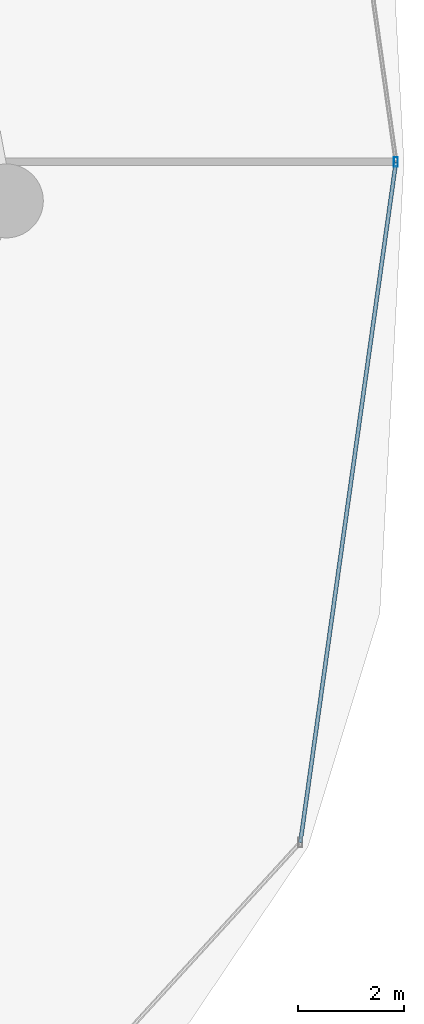
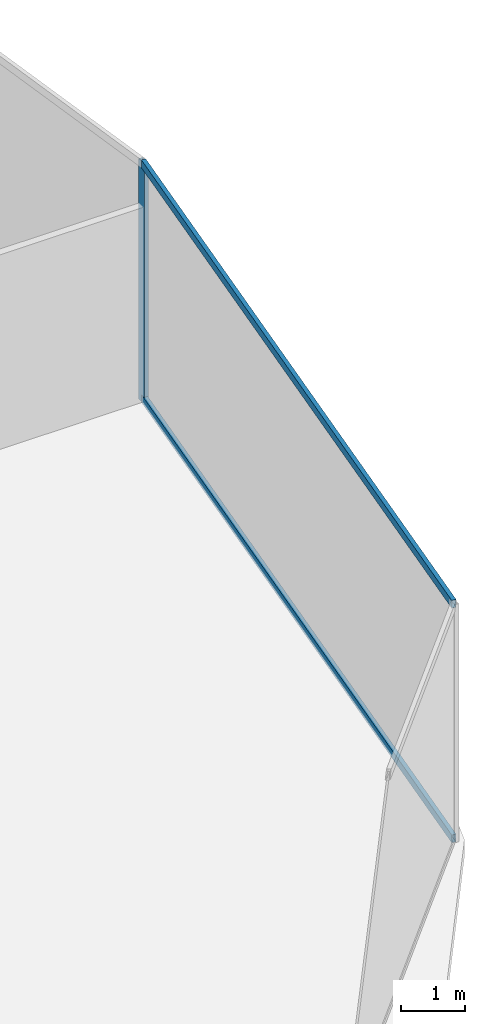
# One storey, part 23 of 32: 3 members, 1 element without a shape of its own.
"""IFC4 building model written with IfcOpenShell, lengths in metres."""

from ifc_helpers import new_model, si_unit, direction, frame, origin, origin_2d, place, context, subcontext, project, spatial, hollow_rectangle, extrude, material, material_profile, profile_set, type_object, element, aggregate, save


model = new_model("IFC4")

# Units and contexts
model_context = context("Model", 3, precision=1e-05, world=origin(), true_north=direction((0.0, 1.0)))
body_context = subcontext(model_context, "Body", "Model", "MODEL_VIEW")
ifc_project = project(units=[si_unit("LENGTHUNIT", "METRE"), si_unit("AREAUNIT", "SQUARE_METRE"), si_unit("VOLUMEUNIT", "CUBIC_METRE"), si_unit("PLANEANGLEUNIT", "RADIAN"), si_unit("MASSUNIT", "GRAM", prefix="KILO")], contexts=[model_context])

# Site, building, storey
site_placement = place(None, origin())
site = spatial("IfcSite", under=ifc_project, at=site_placement, CompositionType="ELEMENT")
building_placement = place(site_placement, origin())
building = spatial("IfcBuilding", under=site, at=building_placement, Name="Vorneva Point Tower", CompositionType="ELEMENT")
storey_placement = place(building_placement, frame((0.0, 0.0, 19.199951171875)))
storey = spatial("IfcBuildingStorey", under=building, at=storey_placement, Name="L04", CompositionType="ELEMENT", Elevation=19.199951171875)

# Curtain wall, members
ifc_material = material(Name="Pale anodised aluminium", Category="aluminium")
curtain_wall_type = type_object("IfcCurtainWallType", Name="CW-POD-SYS", PredefinedType="NOTDEFINED", material=ifc_material)
curtain_wall_placement = place(storey_placement, origin())
curtain_wall = element("IfcCurtainWall", 1, at=curtain_wall_placement, inside=storey, type_object=curtain_wall_type, Name="L04 Unitised Curtain Wall CW-L04-R01", PredefinedType="NOTDEFINED")
ifc_material_profile_1 = material_profile(ifc_material, hollow_rectangle(XDim=0.074951171875, YDim=0.179931640625, WallThickness=0.00390625, at=origin_2d()), Name="AL-MUL 180x75x4")
ifc_profile_set_1 = profile_set([ifc_material_profile_1], Name="Pale anodised aluminium")
member_type_1 = type_object("IfcMemberType", Name="CW-MUL-180", PredefinedType="MULLION", material=ifc_profile_set_1)
member_1_placement = place(storey_placement, frame((72.560791015625, 26.0, -0.0400390625), z_axis=(0.0, 0.0, 1.0), x_axis=(1.0, 0.0, 0.0)))
member_1 = element("IfcMember", 2, at=member_1_placement, type_object=member_type_1, Name="CW-L04-R01 Mullion 03", PredefinedType="MULLION", context=body_context, shape_type="SweptSolid", body=[
    extrude(hollow_rectangle(XDim=0.074951171875, YDim=0.179931640625, WallThickness=0.00390625, at=origin_2d()), origin(), (0.0, 0.0, 1.0), 4.610107421875),
])
ifc_material_profile_2 = material_profile(ifc_material, hollow_rectangle(XDim=0.074951171875, YDim=0.14990234375, WallThickness=0.00390625, at=origin_2d()), Name="AL-TRN 150x75x4")
ifc_profile_set_2 = profile_set([ifc_material_profile_2], Name="Pale anodised aluminium")
member_type_2 = type_object("IfcMemberType", Name="CW-TRN-150", PredefinedType="USERDEFINED", material=ifc_profile_set_2)
member_2_placement = place(storey_placement, frame((70.749755859375, 13.109130859375, 0.02001953125), z_axis=(0.139123505787, 0.990275037622, 0.0), x_axis=(-0.990275037622, 0.139123505787, 0.0)))
member_2 = element("IfcMember", 3, at=member_2_placement, type_object=member_type_2, Name="CW-L04-R01 Transom 02.1", ObjectType="TRANSOM", PredefinedType="USERDEFINED", context=body_context, shape_type="SweptSolid", body=[
    extrude(hollow_rectangle(XDim=0.074951171875, YDim=0.14990234375, WallThickness=0.00390625, at=origin_2d()), origin(), (0.0, 0.0, 1.0), 13.017578125),
])
member_3_placement = place(storey_placement, frame((70.749755859375, 13.109130859375, 4.52001953125), z_axis=(0.139123505787, 0.990275037622, 0.0), x_axis=(-0.990275037622, 0.139123505787, 0.0)))
member_3 = element("IfcMember", 4, at=member_3_placement, type_object=member_type_2, Name="CW-L04-R01 Transom 02.2", ObjectType="TRANSOM", PredefinedType="USERDEFINED", context=body_context, shape_type="SweptSolid", body=[
    extrude(hollow_rectangle(XDim=0.074951171875, YDim=0.14990234375, WallThickness=0.00390625, at=origin_2d()), origin(), (0.0, 0.0, 1.0), 13.017578125),
])
aggregate(curtain_wall, [member_1, member_2, member_3])

save(model, "model.ifc")
